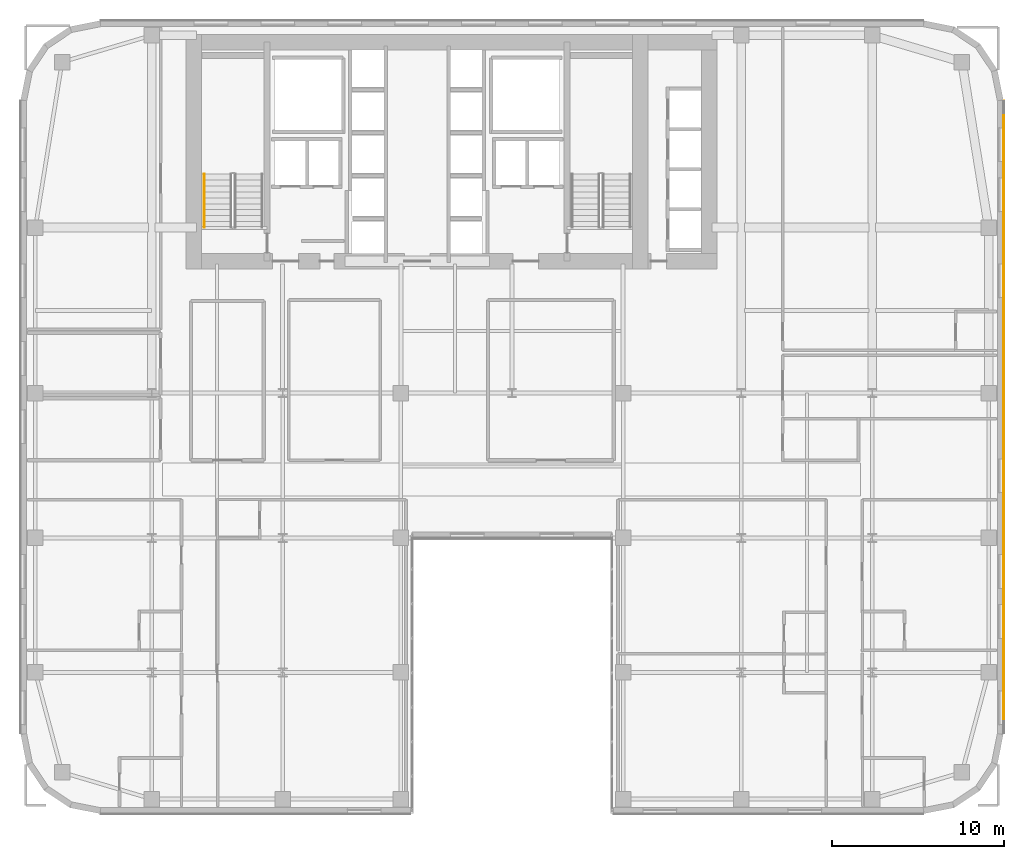
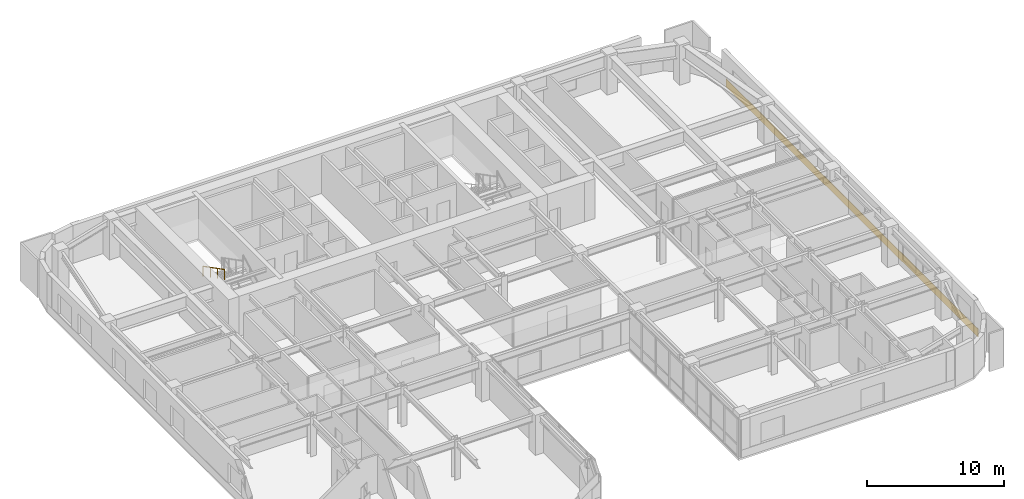
# One storey, part 21 of 24: 1 covering, 1 railing.
"""IFC4 building model written with IfcOpenShell, lengths in metres."""

from ifc_helpers import new_model, si_unit, direction, frame, origin, origin_2d, place, context, subcontext, project, spatial, polyline, circle, outline, extrude, material, layer, layer_set, type_object, element, save


model = new_model("IFC4")

# Units and contexts
model_context = context("Model", 3, precision=1e-05, world=origin(), true_north=direction((0.0, 1.0)))
body_context = subcontext(model_context, "Body", "Model", "MODEL_VIEW")
ifc_project = project(units=[si_unit("LENGTHUNIT", "METRE"), si_unit("AREAUNIT", "SQUARE_METRE"), si_unit("VOLUMEUNIT", "CUBIC_METRE"), si_unit("PLANEANGLEUNIT", "RADIAN"), si_unit("MASSUNIT", "GRAM", prefix="KILO")], contexts=[model_context])

# Site, building, storey
site_placement = place(None, origin())
site = spatial("IfcSite", under=ifc_project, at=site_placement, CompositionType="ELEMENT")
building_placement = place(site_placement, origin())
building = spatial("IfcBuilding", under=site, at=building_placement, Name="Tolvann Quenvar Hotel", CompositionType="ELEMENT")
storey_placement = place(building_placement, frame((0.0, 0.0, 88.800048828125)))
storey = spatial("IfcBuildingStorey", under=building, at=storey_placement, Name="L22", CompositionType="ELEMENT", Elevation=88.800048828125)

# Covering
ifc_material_1 = material(Name="Moulded buff architectural terracotta spandrel cladding", Category="masonry")
ifc_layer = layer(ifc_material_1, 0.0400390625)
ifc_layer_set = layer_set([ifc_layer], Name="Moulded buff architectural terracotta spandrel cladding")
covering_type = type_object("IfcCoveringType", Name="COV_CLAD_TERRA_40", PredefinedType="CLADDING", material=ifc_layer_set)
covering_placement = place(storey_placement, origin())
element("IfcCovering", 1, at=covering_placement, inside=storey, type_object=covering_type, Name="Terracotta Spandrel Cladding (L22-E13)", PredefinedType="CLADDING", context=body_context, shape_type="SweptSolid", body=[
    extrude(outline(polyline([(57.0, 4.6572265625), (57.0, 41.3427734375), (57.0400390625, 41.3427734375), (57.0400390625, 4.6572265625), (57.0, 4.6572265625)])), origin(), (0.0, 0.0, 1.0), 0.699951171875),
])

# Railing
ifc_material_2 = material(Name="Brushed 316 stainless steel balustrade and handrail", Category="steel")
railing_type = type_object("IfcRailingType", Name="HANDRAIL", PredefinedType="HANDRAIL", material=ifc_material_2)
railing_placement = place(storey_placement, frame((10.64990234375, 37.10498046875, 1.952392578125)))
element("IfcRailing", 2, at=railing_placement, inside=storey, type_object=railing_type, Name="L22 ST-C1 stair handrail 2", PredefinedType="HANDRAIL", context=body_context, shape_type="SweptSolid", body=[
    extrude(circle(Radius=0.02392578125, at=origin_2d()), frame((0.0, 0.0, 0.8759765625), z_axis=(0.0, -0.88919353882, 0.457531256332), x_axis=(1.0, 0.0, 0.0)), (0.0, 0.0, 1.0), 3.491943359375),
    extrude(circle(Radius=0.02099609375, at=origin_2d()), origin(), (0.0, 0.0, 1.0), 0.851806640625),
    extrude(circle(Radius=0.02099609375, at=origin_2d()), frame((0.0, -1.034912109375, 0.532470703125)), (0.0, 0.0, 1.0), 0.851806640625),
    extrude(circle(Radius=0.02099609375, at=origin_2d()), frame((0.0, -2.070068359375, 1.065185546875)), (0.0, 0.0, 1.0), 0.851806640625),
    extrude(circle(Radius=0.02099609375, at=origin_2d()), frame((0.0, -3.10498046875, 1.59765625)), (0.0, 0.0, 1.0), 0.851806640625),
])

save(model, "model.ifc")
